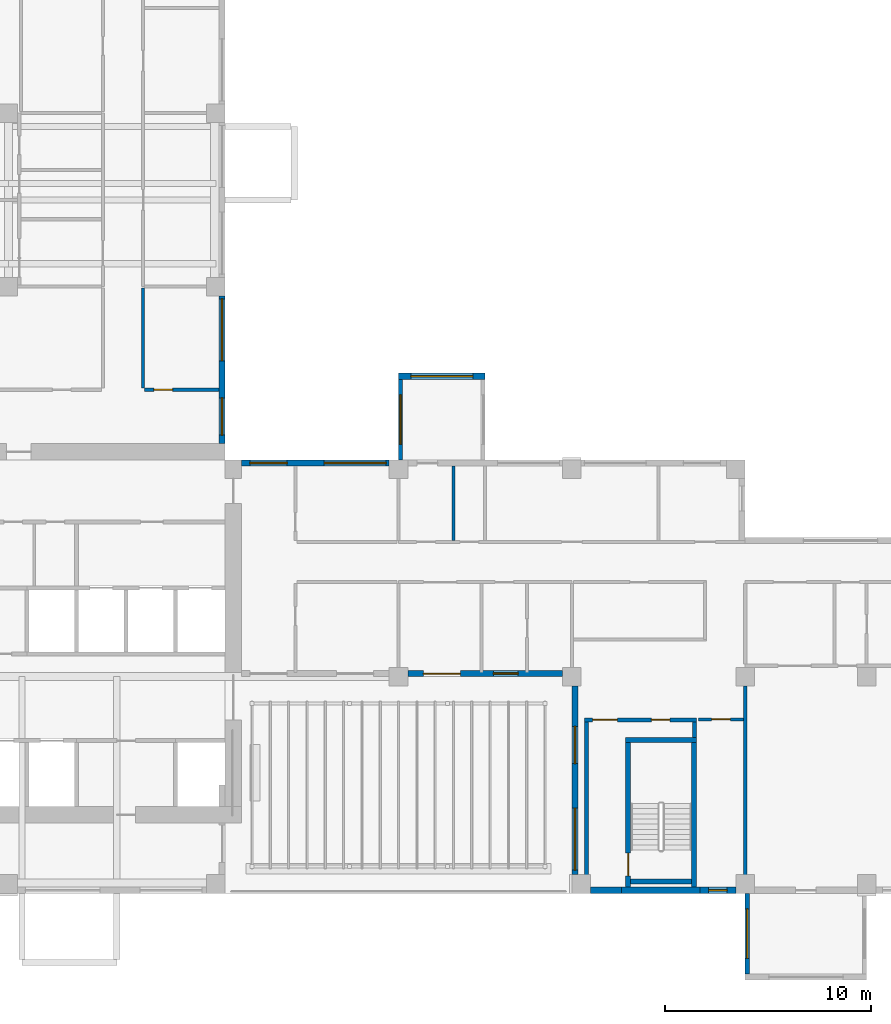
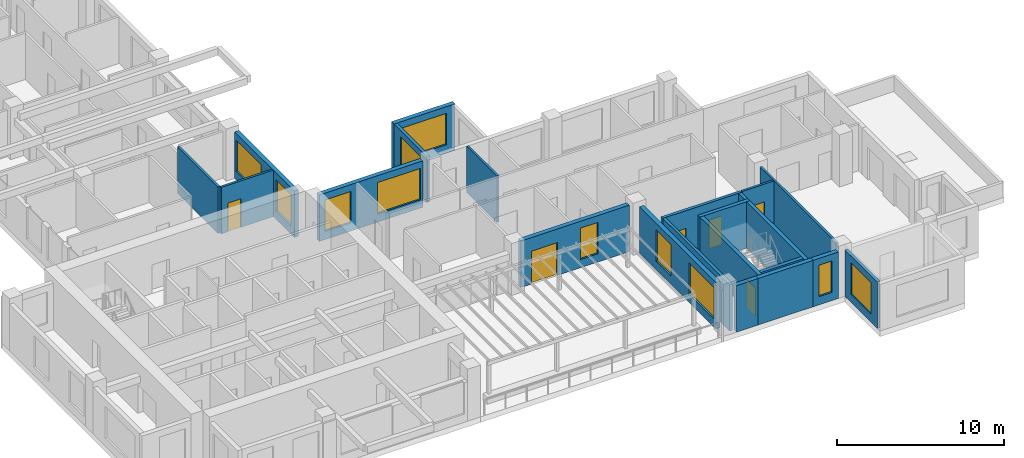
# One storey, part 5 of 13: 22 walls, 11 windows, 6 doors, 17 openings.
"""IFC4 building model written with IfcOpenShell, lengths in metres."""

from ifc_helpers import new_model, si_unit, direction, frame, frame_2d, origin, place, context, subcontext, project, spatial, rectangle, extrude, source, transform, mapped, material, layer, layer_set, type_object, element, fill, save


model = new_model("IFC4")

# Units and contexts
model_context = context("Model", 3, precision=1e-05, world=origin(), true_north=direction((0.0, 1.0)))
body_context = subcontext(model_context, "Body", "Model", "MODEL_VIEW")
ifc_project = project(units=[si_unit("LENGTHUNIT", "METRE"), si_unit("AREAUNIT", "SQUARE_METRE"), si_unit("VOLUMEUNIT", "CUBIC_METRE"), si_unit("PLANEANGLEUNIT", "RADIAN"), si_unit("MASSUNIT", "GRAM", prefix="KILO")], contexts=[model_context])

# Site, building, storey
site_placement = place(None, origin())
site = spatial("IfcSite", under=ifc_project, at=site_placement, CompositionType="ELEMENT")
building_placement = place(site_placement, origin())
building = spatial("IfcBuilding", under=site, at=building_placement, Name="Aurelian Terraces", CompositionType="ELEMENT")
storey_placement = place(building_placement, frame((0.0, 0.0, 204.4)))
storey = spatial("IfcBuildingStorey", under=building, at=storey_placement, Name="L45", CompositionType="ELEMENT", Elevation=204.4)

# Wall
ifc_material_1 = material(Name="Terracotta rainscreen cladding", Category="masonry")
ifc_layer_1 = layer(ifc_material_1, 0.3)
ifc_layer_set_1 = layer_set([ifc_layer_1], Name="EW-300")
wall_type_1 = type_object("IfcWallType", Name="EW-300", PredefinedType="STANDARD", material=ifc_layer_set_1)
wall_1_placement = place(storey_placement, frame((38.7, 0.15, 0.0), z_axis=(0.0, 0.0, 1.0), x_axis=(1.0, 0.0, 0.0)))
element("IfcWall", 1, at=wall_1_placement, inside=storey, type_object=wall_type_1, Name="External wall L45 F05.8", PredefinedType="STANDARD", context=body_context, shape_type="SweptSolid", body=[
    extrude(rectangle(XDim=1.5, YDim=0.3, at=frame_2d((0.75, 0.0))), origin(), (0.0, 0.0, 1.0), 3.4),
])

# Wall, openings, windows
shared_shape_1 = source(origin(), body_context, "Body", "SweptSolid", [
    extrude(rectangle(XDim=7.15, YDim=0.3, at=frame_2d((3.575, 0.0))), origin(), (0.0, 0.0, 1.0), 3.4),
])
wall_2_placement = place(storey_placement, frame((28.95, 20.85, 0.0), z_axis=(0.0, 0.0, 1.0), x_axis=(-1.0, 0.0, 0.0)))
wall_2 = element("IfcWall", 2, at=wall_2_placement, inside=storey, type_object=wall_type_1, Name="External wall L45 F11.19", PredefinedType="STANDARD", context=body_context, shape_type="MappedRepresentation", body=[
    mapped(shared_shape_1, transform((0.0, 0.0, 0.0), scale=1.0)),
])
shared_shape_2 = source(origin(), body_context, "Body", "SweptSolid", [
    extrude(rectangle(XDim=3.0, YDim=2.3, at=frame_2d((1.5, 1.15))), frame((0.0, 0.16, 0.0), z_axis=(0.0, -1.0, 0.0), x_axis=(1.0, 0.0, 0.0)), (0.0, 0.0, 1.0), 0.32),
])
opening_1_placement = place(wall_2_placement, frame((0.15, 0.0, 0.6)))
opening_1 = element("IfcOpeningElement", 3, at=opening_1_placement, cuts=wall_2, Name="Opening W3023", PredefinedType="OPENING", context=body_context, shape_type="MappedRepresentation", body=[
    mapped(shared_shape_2, transform((0.0, 0.0, 0.0), scale=1.0)),
])
shared_shape_3 = source(origin(), body_context, "Body", "SweptSolid", [
    extrude(rectangle(XDim=1.8, YDim=2.3, at=frame_2d((0.9, 1.15))), frame((0.0, 0.16, 0.0), z_axis=(0.0, -1.0, 0.0), x_axis=(1.0, 0.0, 0.0)), (0.0, 0.0, 1.0), 0.32),
])
opening_2_placement = place(wall_2_placement, frame((4.95, 0.0, 0.6)))
opening_2 = element("IfcOpeningElement", 4, at=opening_2_placement, cuts=wall_2, Name="Opening W1823", PredefinedType="OPENING", context=body_context, shape_type="MappedRepresentation", body=[
    mapped(shared_shape_3, transform((0.0, 0.0, 0.0), scale=1.0)),
])
ifc_material_2 = material(Name="Clear glazing", Category="glass")
window_type_1 = type_object("IfcWindowType", Name="W-3000x2300", PartitioningType="SINGLE_PANEL", PredefinedType="WINDOW", material=ifc_material_2)
shared_shape_4 = source(origin(), body_context, "Body", "SweptSolid", [
    extrude(rectangle(XDim=3.0, YDim=2.3, at=frame_2d((1.5, 1.15))), frame((0.0, 0.03, 0.0), z_axis=(0.0, -1.0, 0.0), x_axis=(1.0, 0.0, 0.0)), (0.0, 0.0, 1.0), 0.06),
])
window_1_placement = place(opening_1_placement, origin())
window_1 = element("IfcWindow", 5, at=window_1_placement, inside=storey, type_object=window_type_1, Name="Window L45 L45-F11-19-0", OverallHeight=2.3, OverallWidth=3.0, PartitioningType="SINGLE_PANEL", PredefinedType="WINDOW", context=body_context, shape_type="MappedRepresentation", body=[
    mapped(shared_shape_4, transform((0.0, 0.0, 0.0), scale=1.0)),
])
fill(opening_1, window_1)
window_type_2 = type_object("IfcWindowType", Name="W-1800x2300", PartitioningType="SINGLE_PANEL", PredefinedType="WINDOW", material=ifc_material_2)
shared_shape_5 = source(origin(), body_context, "Body", "SweptSolid", [
    extrude(rectangle(XDim=1.8, YDim=2.3, at=frame_2d((0.9, 1.15))), frame((0.0, 0.03, 0.0), z_axis=(0.0, -1.0, 0.0), x_axis=(1.0, 0.0, 0.0)), (0.0, 0.0, 1.0), 0.06),
])
window_2_placement = place(opening_2_placement, origin())
window_2 = element("IfcWindow", 6, at=window_2_placement, inside=storey, type_object=window_type_2, Name="Window L45 L45-F11-19-1", OverallHeight=2.3, OverallWidth=1.8, PartitioningType="SINGLE_PANEL", PredefinedType="WINDOW", context=body_context, shape_type="MappedRepresentation", body=[
    mapped(shared_shape_5, transform((0.0, 0.0, 0.0), scale=1.0)),
])
fill(opening_2, window_2)

wall_3_placement = place(storey_placement, frame((20.85, 21.8, 0.0), z_axis=(0.0, 0.0, 1.0), x_axis=(0.0, 1.0, 0.0)))
wall_3 = element("IfcWall", 7, at=wall_3_placement, inside=storey, type_object=wall_type_1, Name="External wall L45 F12.20", PredefinedType="STANDARD", context=body_context, shape_type="MappedRepresentation", body=[
    mapped(shared_shape_1, transform((0.0, 0.0, 0.0), scale=1.0)),
])
opening_3_placement = place(wall_3_placement, frame((0.4, 0.0, 0.6)))
opening_3 = element("IfcOpeningElement", 8, at=opening_3_placement, cuts=wall_3, Name="Opening W1823", PredefinedType="OPENING", context=body_context, shape_type="MappedRepresentation", body=[
    mapped(shared_shape_3, transform((0.0, 0.0, 0.0), scale=1.0)),
])
opening_4_placement = place(wall_3_placement, frame((4.0, 0.0, 0.6)))
opening_4 = element("IfcOpeningElement", 9, at=opening_4_placement, cuts=wall_3, Name="Opening W3023", PredefinedType="OPENING", context=body_context, shape_type="MappedRepresentation", body=[
    mapped(shared_shape_2, transform((0.0, 0.0, 0.0), scale=1.0)),
])
window_3_placement = place(opening_4_placement, origin())
window_3 = element("IfcWindow", 10, at=window_3_placement, inside=storey, type_object=window_type_1, Name="Window L45 L45-F12-20-1", OverallHeight=2.3, OverallWidth=3.0, PartitioningType="SINGLE_PANEL", PredefinedType="WINDOW", context=body_context, shape_type="MappedRepresentation", body=[
    mapped(shared_shape_4, transform((0.0, 0.0, 0.0), scale=1.0)),
])
fill(opening_4, window_3)
window_4_placement = place(opening_3_placement, origin())
window_4 = element("IfcWindow", 11, at=window_4_placement, inside=storey, type_object=window_type_2, Name="Window L45 L45-F12-20-0", OverallHeight=2.3, OverallWidth=1.8, PartitioningType="SINGLE_PANEL", PredefinedType="WINDOW", context=body_context, shape_type="MappedRepresentation", body=[
    mapped(shared_shape_5, transform((0.0, 0.0, 0.0), scale=1.0)),
])
fill(opening_3, window_4)

# Wall, openings, door, window
shared_shape_6 = source(origin(), body_context, "Body", "SweptSolid", [
    extrude(rectangle(XDim=7.5, YDim=0.3, at=frame_2d((3.75, 0.0))), origin(), (0.0, 0.0, 1.0), 3.4),
])
wall_4_placement = place(storey_placement, frame((29.85, 10.65, 0.0), z_axis=(0.0, 0.0, 1.0), x_axis=(1.0, 0.0, 0.0)))
wall_4 = element("IfcWall", 12, at=wall_4_placement, inside=storey, type_object=wall_type_1, Name="External wall L45 F03.6", PredefinedType="STANDARD", context=body_context, shape_type="MappedRepresentation", body=[
    mapped(shared_shape_6, transform((0.0, 0.0, 0.0), scale=1.0)),
])
shared_shape_7 = source(origin(), body_context, "Body", "SweptSolid", [
    extrude(rectangle(XDim=1.8, YDim=2.4, at=frame_2d((0.9, 1.2))), frame((0.0, 0.16, 0.0), z_axis=(0.0, -1.0, 0.0), x_axis=(1.0, 0.0, 0.0)), (0.0, 0.0, 1.0), 0.32),
])
opening_5_placement = place(wall_4_placement, frame((0.75, 0.0, 0.0)))
opening_5 = element("IfcOpeningElement", 13, at=opening_5_placement, cuts=wall_4, Name="Opening 84504", PredefinedType="OPENING", context=body_context, shape_type="MappedRepresentation", body=[
    mapped(shared_shape_7, transform((0.0, 0.0, 0.0), scale=1.0)),
])
shared_shape_8 = source(origin(), body_context, "Body", "SweptSolid", [
    extrude(rectangle(XDim=1.2, YDim=2.3, at=frame_2d((0.6, 1.15))), frame((0.0, 0.16, 0.0), z_axis=(0.0, -1.0, 0.0), x_axis=(1.0, 0.0, 0.0)), (0.0, 0.0, 1.0), 0.32),
])
opening_6_placement = place(wall_4_placement, frame((4.1415, 0.0, 0.6)))
opening_6 = element("IfcOpeningElement", 14, at=opening_6_placement, cuts=wall_4, Name="Opening W1223", PredefinedType="OPENING", context=body_context, shape_type="MappedRepresentation", body=[
    mapped(shared_shape_8, transform((0.0, 0.0, 0.0), scale=1.0)),
])
door_type_1 = type_object("IfcDoorType", Name="BD-1800x2400", OperationType="SLIDING_TO_LEFT", PredefinedType="DOOR", material=ifc_material_2)
shared_shape_9 = source(origin(), body_context, "Body", "SweptSolid", [
    extrude(rectangle(XDim=1.8, YDim=2.4, at=frame_2d((0.9, 1.2))), frame((0.0, 0.025, 0.0), z_axis=(0.0, -1.0, 0.0), x_axis=(1.0, 0.0, 0.0)), (0.0, 0.0, 1.0), 0.05),
])
door_1_placement = place(opening_5_placement, origin())
door_1 = element("IfcDoor", 15, at=door_1_placement, inside=storey, type_object=door_type_1, Name="Terrace door L45 L45-F03-06.1", OperationType="SLIDING_TO_LEFT", OverallHeight=2.4, OverallWidth=1.8, PredefinedType="DOOR", context=body_context, shape_type="MappedRepresentation", body=[
    mapped(shared_shape_9, transform((0.0, 0.0, 0.0), scale=1.0)),
])
fill(opening_5, door_1)
window_type_3 = type_object("IfcWindowType", Name="W-1200x2300", PartitioningType="SINGLE_PANEL", PredefinedType="WINDOW", material=ifc_material_2)
shared_shape_10 = source(origin(), body_context, "Body", "SweptSolid", [
    extrude(rectangle(XDim=1.2, YDim=2.3, at=frame_2d((0.6, 1.15))), frame((0.0, 0.03, 0.0), z_axis=(0.0, -1.0, 0.0), x_axis=(1.0, 0.0, 0.0)), (0.0, 0.0, 1.0), 0.06),
])
window_5_placement = place(opening_6_placement, origin())
window_5 = element("IfcWindow", 16, at=window_5_placement, inside=storey, type_object=window_type_3, Name="Window L45 L45-F03-06-G0-31", OverallHeight=2.3, OverallWidth=1.2, PartitioningType="SINGLE_PANEL", PredefinedType="WINDOW", context=body_context, shape_type="MappedRepresentation", body=[
    mapped(shared_shape_10, transform((0.0, 0.0, 0.0), scale=1.0)),
])
fill(opening_6, window_5)

# Wall, opening, window
ifc_material_3 = material(Name="Concrete fc' 40 MPa", Category="concrete")
ifc_layer_2 = layer(ifc_material_3, 0.2)
ifc_layer_set_2 = layer_set([ifc_layer_2], Name="BOX BEARING WALL 200")
wall_type_2 = type_object("IfcWallType", Name="BOX BEARING WALL 200", PredefinedType="SOLIDWALL", material=ifc_layer_set_2)
shared_shape_11 = source(origin(), body_context, "Body", "SweptSolid", [
    extrude(rectangle(XDim=3.9, YDim=0.2, at=frame_2d((1.95, 0.0))), origin(), (0.0, 0.0, 1.0), 3.39),
])
wall_5_placement = place(storey_placement, frame((29.5, 21.0, 0.0), z_axis=(0.0, 0.0, 1.0), x_axis=(0.0, 1.0, 0.0)))
wall_5 = element("IfcWall", 17, at=wall_5_placement, inside=storey, type_object=wall_type_2, Name="Box return L45 J63.2", PredefinedType="SOLIDWALL", context=body_context, shape_type="MappedRepresentation", body=[
    mapped(shared_shape_11, transform((0.0, 0.0, 0.0), scale=1.0)),
])
shared_shape_12 = source(origin(), body_context, "Body", "SweptSolid", [
    extrude(rectangle(XDim=2.4, YDim=2.3, at=frame_2d((1.2, 1.15))), frame((0.0, 0.11, 0.0), z_axis=(0.0, -1.0, 0.0), x_axis=(1.0, 0.0, 0.0)), (0.0, 0.0, 1.0), 0.22),
])
opening_7_placement = place(wall_5_placement, frame((0.75, 0.0, 0.6)))
opening_7 = element("IfcOpeningElement", 18, at=opening_7_placement, cuts=wall_5, Name="Opening W2423", PredefinedType="OPENING", context=body_context, shape_type="MappedRepresentation", body=[
    mapped(shared_shape_12, transform((0.0, 0.0, 0.0), scale=1.0)),
])
window_type_4 = type_object("IfcWindowType", Name="W-2400x2300", PartitioningType="SINGLE_PANEL", PredefinedType="WINDOW", material=ifc_material_2)
shared_shape_13 = source(origin(), body_context, "Body", "SweptSolid", [
    extrude(rectangle(XDim=2.4, YDim=2.3, at=frame_2d((1.2, 1.15))), frame((0.0, 0.03, 0.0), z_axis=(0.0, -1.0, 0.0), x_axis=(1.0, 0.0, 0.0)), (0.0, 0.0, 1.0), 0.06),
])
window_6_placement = place(opening_7_placement, origin())
window_6 = element("IfcWindow", 19, at=window_6_placement, inside=storey, type_object=window_type_4, Name="Window L45 J63-S2", OverallHeight=2.3, OverallWidth=2.4, PartitioningType="SINGLE_PANEL", PredefinedType="WINDOW", context=body_context, shape_type="MappedRepresentation", body=[
    mapped(shared_shape_13, transform((0.0, 0.0, 0.0), scale=1.0)),
])
fill(opening_7, window_6)

shared_shape_14 = source(origin(), body_context, "Body", "SweptSolid", [
    extrude(rectangle(XDim=3.9, YDim=0.2, at=frame_2d((1.95, 0.0))), origin(), (0.0, 0.0, 1.0), 3.4),
])
wall_6_placement = place(storey_placement, frame((46.3, 0.0, 0.0), z_axis=(0.0, 0.0, 1.0), x_axis=(0.0, -1.0, 0.0)))
wall_6 = element("IfcWall", 20, at=wall_6_placement, inside=storey, type_object=wall_type_2, Name="Box return L45 J62.1", PredefinedType="SOLIDWALL", context=body_context, shape_type="MappedRepresentation", body=[
    mapped(shared_shape_14, transform((0.0, 0.0, 0.0), scale=1.0)),
])
opening_8_placement = place(wall_6_placement, frame((0.75, 0.0, 0.6)))
opening_8 = element("IfcOpeningElement", 21, at=opening_8_placement, cuts=wall_6, Name="Opening W2423", PredefinedType="OPENING", context=body_context, shape_type="MappedRepresentation", body=[
    mapped(shared_shape_12, transform((0.0, 0.0, 0.0), scale=1.0)),
])
window_7_placement = place(opening_8_placement, origin())
window_7 = element("IfcWindow", 22, at=window_7_placement, inside=storey, type_object=window_type_4, Name="Window L45 J62-S1", OverallHeight=2.3, OverallWidth=2.4, PartitioningType="SINGLE_PANEL", PredefinedType="WINDOW", context=body_context, shape_type="MappedRepresentation", body=[
    mapped(shared_shape_13, transform((0.0, 0.0, 0.0), scale=1.0)),
])
fill(opening_8, window_7)

ifc_layer_3 = layer(ifc_material_3, 0.3)
ifc_layer_set_3 = layer_set([ifc_layer_3], Name="BOX BEARING WALL 300")
wall_type_3 = type_object("IfcWallType", Name="BOX BEARING WALL 300", PredefinedType="SOLIDWALL", material=ifc_layer_set_3)
shared_shape_15 = source(origin(), body_context, "Body", "SweptSolid", [
    extrude(rectangle(XDim=4.2, YDim=0.3, at=frame_2d((2.1, 0.0))), origin(), (0.0, 0.0, 1.0), 3.39),
])
wall_7_placement = place(storey_placement, frame((33.6, 25.05, 0.0), z_axis=(0.0, 0.0, 1.0), x_axis=(-1.0, 0.0, 0.0)))
wall_7 = element("IfcWall", 23, at=wall_7_placement, inside=storey, type_object=wall_type_3, Name="Box wall L45 J63", PredefinedType="SOLIDWALL", context=body_context, shape_type="MappedRepresentation", body=[
    mapped(shared_shape_15, transform((0.0, 0.0, 0.0), scale=1.0)),
])
opening_9_placement = place(wall_7_placement, frame((0.6, 0.0, 0.6)))
opening_9 = element("IfcOpeningElement", 24, at=opening_9_placement, cuts=wall_7, Name="Opening W3023", PredefinedType="OPENING", context=body_context, shape_type="MappedRepresentation", body=[
    mapped(shared_shape_2, transform((0.0, 0.0, 0.0), scale=1.0)),
])
window_8_placement = place(opening_9_placement, origin())
window_8 = element("IfcWindow", 25, at=window_8_placement, inside=storey, type_object=window_type_1, Name="Window L45 J63-F1", OverallHeight=2.3, OverallWidth=3.0, PartitioningType="SINGLE_PANEL", PredefinedType="WINDOW", context=body_context, shape_type="MappedRepresentation", body=[
    mapped(shared_shape_4, transform((0.0, 0.0, 0.0), scale=1.0)),
])
fill(opening_9, window_8)

# Wall
ifc_layer_4 = layer(ifc_material_3, 0.3)
ifc_layer_set_4 = layer_set([ifc_layer_4], Name="STAIR BAY WALL 300")
wall_type_4 = type_object("IfcWallType", Name="STAIR BAY WALL 300", PredefinedType="SOLIDWALL", material=ifc_layer_set_4)
shared_shape_16 = source(origin(), body_context, "Body", "SweptSolid", [
    extrude(rectangle(XDim=3.8, YDim=0.3, at=frame_2d((1.9, 0.0))), origin(), (0.0, 0.0, 1.0), 3.4),
])
wall_8_placement = place(storey_placement, frame((40.2, 0.15, 0.0), z_axis=(0.0, 0.0, 1.0), x_axis=(1.0, 0.0, 0.0)))
element("IfcWall", 26, at=wall_8_placement, inside=storey, type_object=wall_type_4, Name="Stair bay wall L45 F05.8", PredefinedType="SOLIDWALL", context=body_context, shape_type="MappedRepresentation", body=[
    mapped(shared_shape_16, transform((0.0, 0.0, 0.0), scale=1.0)),
])

# Wall, opening, window
shared_shape_17 = source(origin(), body_context, "Body", "SweptSolid", [
    extrude(rectangle(XDim=1.75, YDim=0.3, at=frame_2d((0.875, 0.0))), origin(), (0.0, 0.0, 1.0), 3.4),
])
wall_9_placement = place(storey_placement, frame((44.0, 0.15, 0.0), z_axis=(0.0, 0.0, 1.0), x_axis=(1.0, 0.0, 0.0)))
wall_9 = element("IfcWall", 27, at=wall_9_placement, inside=storey, type_object=wall_type_1, Name="External wall L45 F05.8", PredefinedType="STANDARD", context=body_context, shape_type="MappedRepresentation", body=[
    mapped(shared_shape_17, transform((0.0, 0.0, 0.0), scale=1.0)),
])
shared_shape_18 = source(origin(), body_context, "Body", "SweptSolid", [
    extrude(rectangle(XDim=0.9, YDim=2.3, at=frame_2d((0.45, 1.15))), frame((0.0, 0.16, 0.0), z_axis=(0.0, -1.0, 0.0), x_axis=(1.0, 0.0, 0.0)), (0.0, 0.0, 1.0), 0.32),
])
opening_10_placement = place(wall_9_placement, frame((0.425, 0.0, 0.6)))
opening_10 = element("IfcOpeningElement", 28, at=opening_10_placement, cuts=wall_9, Name="Opening W0923", PredefinedType="OPENING", context=body_context, shape_type="MappedRepresentation", body=[
    mapped(shared_shape_18, transform((0.0, 0.0, 0.0), scale=1.0)),
])
window_type_5 = type_object("IfcWindowType", Name="W-900x2300", PartitioningType="SINGLE_PANEL", PredefinedType="WINDOW", material=ifc_material_2)
shared_shape_19 = source(origin(), body_context, "Body", "SweptSolid", [
    extrude(rectangle(XDim=0.9, YDim=2.3, at=frame_2d((0.45, 1.15))), frame((0.0, 0.03, 0.0), z_axis=(0.0, -1.0, 0.0), x_axis=(1.0, 0.0, 0.0)), (0.0, 0.0, 1.0), 0.06),
])
window_9_placement = place(opening_10_placement, origin())
window_9 = element("IfcWindow", 29, at=window_9_placement, inside=storey, type_object=window_type_5, Name="Window L45 L45-F05-08-P2", OverallHeight=2.3, OverallWidth=0.9, PartitioningType="SINGLE_PANEL", PredefinedType="WINDOW", context=body_context, shape_type="MappedRepresentation", body=[
    mapped(shared_shape_19, transform((0.0, 0.0, 0.0), scale=1.0)),
])
fill(opening_10, window_9)

# Wall, openings, windows
shared_shape_20 = source(origin(), body_context, "Body", "SweptSolid", [
    extrude(rectangle(XDim=9.15, YDim=0.3, at=frame_2d((4.575, 0.0))), origin(), (0.0, 0.0, 1.0), 3.4),
])
wall_10_placement = place(storey_placement, frame((37.95, 10.05, 0.0), z_axis=(0.0, 0.0, 1.0), x_axis=(0.0, -1.0, 0.0)))
wall_10 = element("IfcWall", 30, at=wall_10_placement, inside=storey, type_object=wall_type_1, Name="External wall L45 F04.7", PredefinedType="STANDARD", context=body_context, shape_type="MappedRepresentation", body=[
    mapped(shared_shape_20, transform((0.0, 0.0, 0.0), scale=1.0)),
])
opening_11_placement = place(wall_10_placement, frame((1.9625, 0.0, 0.6)))
opening_11 = element("IfcOpeningElement", 31, at=opening_11_placement, cuts=wall_10, Name="Opening W1823", PredefinedType="OPENING", context=body_context, shape_type="MappedRepresentation", body=[
    mapped(shared_shape_3, transform((0.0, 0.0, 0.0), scale=1.0)),
])
opening_12_placement = place(wall_10_placement, frame((5.925, 0.0, 0.6)))
opening_12 = element("IfcOpeningElement", 32, at=opening_12_placement, cuts=wall_10, Name="Opening W3023", PredefinedType="OPENING", context=body_context, shape_type="MappedRepresentation", body=[
    mapped(shared_shape_2, transform((0.0, 0.0, 0.0), scale=1.0)),
])
window_10_placement = place(opening_12_placement, origin())
window_10 = element("IfcWindow", 33, at=window_10_placement, inside=storey, type_object=window_type_1, Name="Window L45 L45-F04-07-1", OverallHeight=2.3, OverallWidth=3.0, PartitioningType="SINGLE_PANEL", PredefinedType="WINDOW", context=body_context, shape_type="MappedRepresentation", body=[
    mapped(shared_shape_4, transform((0.0, 0.0, 0.0), scale=1.0)),
])
fill(opening_12, window_10)
window_11_placement = place(opening_11_placement, origin())
window_11 = element("IfcWindow", 34, at=window_11_placement, inside=storey, type_object=window_type_2, Name="Window L45 L45-F04-07-0", OverallHeight=2.3, OverallWidth=1.8, PartitioningType="SINGLE_PANEL", PredefinedType="WINDOW", context=body_context, shape_type="MappedRepresentation", body=[
    mapped(shared_shape_5, transform((0.0, 0.0, 0.0), scale=1.0)),
])
fill(opening_11, window_11)

# Wall, opening, door
ifc_layer_5 = layer(ifc_material_3, 0.25)
ifc_layer_set_5 = layer_set([ifc_layer_5], Name="Stair enclosure wall 250")
wall_type_5 = type_object("IfcWallType", Name="Stair enclosure wall 250", PredefinedType="SOLIDWALL", material=ifc_layer_set_5)
shared_shape_21 = source(origin(), body_context, "Body", "SweptSolid", [
    extrude(rectangle(XDim=7.0, YDim=0.25, at=frame_2d((3.5, 0.0))), origin(), (0.0, 0.0, 1.0), 3.4),
])
wall_11_placement = place(storey_placement, frame((40.525, 0.3, 0.0), z_axis=(0.0, 0.0, 1.0), x_axis=(0.0, 1.0, 0.0)))
wall_11 = element("IfcWall", 35, at=wall_11_placement, inside=storey, type_object=wall_type_5, Name="L45 core wall ST-S2-W", PredefinedType="SOLIDWALL", context=body_context, shape_type="MappedRepresentation", body=[
    mapped(shared_shape_21, transform((0.0, 0.0, 0.0), scale=1.0)),
])
shared_shape_22 = source(origin(), body_context, "Body", "SweptSolid", [
    extrude(rectangle(XDim=1.1, YDim=2.1, at=frame_2d((0.55, 1.05))), frame((0.0, 0.135, 0.0), z_axis=(0.0, -1.0, 0.0), x_axis=(1.0, 0.0, 0.0)), (0.0, 0.0, 1.0), 0.27),
])
opening_13_placement = place(wall_11_placement, frame((0.55, 0.0, 0.0)))
opening_13 = element("IfcOpeningElement", 36, at=opening_13_placement, cuts=wall_11, Name="Opening 64815", PredefinedType="OPENING", context=body_context, shape_type="MappedRepresentation", body=[
    mapped(shared_shape_22, transform((0.0, 0.0, 0.0), scale=1.0)),
])
ifc_material_4 = material(Name="Steel door leaf", Category="steel")
door_type_2 = type_object("IfcDoorType", Name="Core fire door 1100x2100 right", OperationType="SINGLE_SWING_RIGHT", PredefinedType="DOOR", material=ifc_material_4)
shared_shape_23 = source(origin(), body_context, "Body", "SweptSolid", [
    extrude(rectangle(XDim=1.1, YDim=2.1, at=frame_2d((0.55, 1.05))), frame((0.0, 0.025, 0.0), z_axis=(0.0, -1.0, 0.0), x_axis=(1.0, 0.0, 0.0)), (0.0, 0.0, 1.0), 0.05),
])
door_2_placement = place(opening_13_placement, origin())
door_2 = element("IfcDoor", 37, at=door_2_placement, inside=storey, type_object=door_type_2, Name="Stair door 64815", OperationType="SINGLE_SWING_RIGHT", OverallHeight=2.1, OverallWidth=1.1, PredefinedType="DOOR", context=body_context, shape_type="MappedRepresentation", body=[
    mapped(shared_shape_23, transform((0.0, 0.0, 0.0), scale=1.0)),
])
fill(opening_13, door_2)

# Walls
wall_12_placement = place(storey_placement, frame((43.725, 0.3, 0.0), z_axis=(0.0, 0.0, 1.0), x_axis=(0.0, 1.0, 0.0)))
element("IfcWall", 38, at=wall_12_placement, inside=storey, type_object=wall_type_5, Name="L45 core wall ST-S2-E", PredefinedType="SOLIDWALL", context=body_context, shape_type="MappedRepresentation", body=[
    mapped(shared_shape_21, transform((0.0, 0.0, 0.0), scale=1.0)),
])
shared_shape_24 = source(origin(), body_context, "Body", "SweptSolid", [
    extrude(rectangle(XDim=3.45, YDim=0.25, at=frame_2d((1.725, 0.0))), origin(), (0.0, 0.0, 1.0), 3.4),
])
wall_13_placement = place(storey_placement, frame((40.4, 7.425, 0.0), z_axis=(0.0, 0.0, 1.0), x_axis=(1.0, 0.0, 0.0)))
element("IfcWall", 39, at=wall_13_placement, inside=storey, type_object=wall_type_5, Name="L45 core wall ST-S2-N", PredefinedType="SOLIDWALL", context=body_context, shape_type="MappedRepresentation", body=[
    mapped(shared_shape_24, transform((0.0, 0.0, 0.0), scale=1.0)),
])
shared_shape_25 = source(origin(), body_context, "Body", "SweptSolid", [
    extrude(rectangle(XDim=2.95, YDim=0.25, at=frame_2d((1.475, 0.0))), origin(), (0.0, 0.0, 1.0), 3.4),
])
wall_14_placement = place(storey_placement, frame((40.65, 0.575, 0.0), z_axis=(0.0, 0.0, 1.0), x_axis=(1.0, 0.0, 0.0)))
element("IfcWall", 40, at=wall_14_placement, inside=storey, type_object=wall_type_5, Name="L45 core wall ST-S2-SS", PredefinedType="SOLIDWALL", context=body_context, shape_type="MappedRepresentation", body=[
    mapped(shared_shape_25, transform((0.0, 0.0, 0.0), scale=1.0)),
])

# Wall, openings, doors
ifc_material_5 = material(Name="Gypsum board on steel studs", Category="steel")
ifc_layer_6 = layer(ifc_material_5, 0.2)
ifc_layer_set_6 = layer_set([ifc_layer_6], Name="Core partition 200")
wall_type_6 = type_object("IfcWallType", Name="Core partition 200", PredefinedType="PARTITIONING", material=ifc_layer_set_6)
shared_shape_26 = source(origin(), body_context, "Body", "SweptSolid", [
    extrude(rectangle(XDim=5.45, YDim=0.2, at=frame_2d((2.725, 0.0))), origin(), (0.0, 0.0, 1.0), 3.4),
])
wall_15_placement = place(storey_placement, frame((38.4, 8.4, 0.0), z_axis=(0.0, 0.0, 1.0), x_axis=(1.0, 0.0, 0.0)))
wall_15 = element("IfcWall", 41, at=wall_15_placement, inside=storey, type_object=wall_type_6, Name="L45 core wall ST-S2-BN", PredefinedType="PARTITIONING", context=body_context, shape_type="MappedRepresentation", body=[
    mapped(shared_shape_26, transform((0.0, 0.0, 0.0), scale=1.0)),
])
shared_shape_27 = source(origin(), body_context, "Body", "SweptSolid", [
    extrude(rectangle(XDim=1.2, YDim=2.1, at=frame_2d((0.6, 1.05))), frame((0.0, 0.11, 0.0), z_axis=(0.0, -1.0, 0.0), x_axis=(1.0, 0.0, 0.0)), (0.0, 0.0, 1.0), 0.22),
])
opening_14_placement = place(wall_15_placement, frame((0.4, 0.0, 0.0)))
opening_14 = element("IfcOpeningElement", 42, at=opening_14_placement, cuts=wall_15, Name="Opening 64816", PredefinedType="OPENING", context=body_context, shape_type="MappedRepresentation", body=[
    mapped(shared_shape_27, transform((0.0, 0.0, 0.0), scale=1.0)),
])
shared_shape_28 = source(origin(), body_context, "Body", "SweptSolid", [
    extrude(rectangle(XDim=0.9, YDim=2.1, at=frame_2d((0.45, 1.05))), frame((0.0, 0.11, 0.0), z_axis=(0.0, -1.0, 0.0), x_axis=(1.0, 0.0, 0.0)), (0.0, 0.0, 1.0), 0.22),
])
opening_15_placement = place(wall_15_placement, frame((3.25, 0.0, 0.0)))
opening_15 = element("IfcOpeningElement", 43, at=opening_15_placement, cuts=wall_15, Name="Opening 64817", PredefinedType="OPENING", context=body_context, shape_type="MappedRepresentation", body=[
    mapped(shared_shape_28, transform((0.0, 0.0, 0.0), scale=1.0)),
])
door_type_3 = type_object("IfcDoorType", Name="Core riser door 900x2100 right", OperationType="SINGLE_SWING_RIGHT", PredefinedType="DOOR", material=ifc_material_4)
shared_shape_29 = source(origin(), body_context, "Body", "SweptSolid", [
    extrude(rectangle(XDim=0.9, YDim=2.1, at=frame_2d((0.45, 1.05))), frame((0.0, 0.025, 0.0), z_axis=(0.0, -1.0, 0.0), x_axis=(1.0, 0.0, 0.0)), (0.0, 0.0, 1.0), 0.05),
])
door_3_placement = place(opening_15_placement, origin())
door_3 = element("IfcDoor", 44, at=door_3_placement, inside=storey, type_object=door_type_3, Name="Riser door 64817", OperationType="SINGLE_SWING_RIGHT", OverallHeight=2.1, OverallWidth=0.9, PredefinedType="DOOR", context=body_context, shape_type="MappedRepresentation", body=[
    mapped(shared_shape_29, transform((0.0, 0.0, 0.0), scale=1.0)),
])
fill(opening_15, door_3)
door_type_4 = type_object("IfcDoorType", Name="Core fire door 1200x2100", OperationType="SINGLE_SWING_LEFT", PredefinedType="DOOR", material=ifc_material_4)
shared_shape_30 = source(origin(), body_context, "Body", "SweptSolid", [
    extrude(rectangle(XDim=1.2, YDim=2.1, at=frame_2d((0.6, 1.05))), frame((0.0, 0.025, 0.0), z_axis=(0.0, -1.0, 0.0), x_axis=(1.0, 0.0, 0.0)), (0.0, 0.0, 1.0), 0.05),
])
door_4_placement = place(opening_14_placement, origin())
door_4 = element("IfcDoor", 45, at=door_4_placement, inside=storey, type_object=door_type_4, Name="Vestibule door 64816", OperationType="SINGLE_SWING_LEFT", OverallHeight=2.1, OverallWidth=1.2, PredefinedType="DOOR", context=body_context, shape_type="MappedRepresentation", body=[
    mapped(shared_shape_30, transform((0.0, 0.0, 0.0), scale=1.0)),
])
fill(opening_14, door_4)

# Walls
shared_shape_31 = source(origin(), body_context, "Body", "SweptSolid", [
    extrude(rectangle(XDim=0.75, YDim=0.2, at=frame_2d((0.375, 0.0))), origin(), (0.0, 0.0, 1.0), 3.4),
])
wall_16_placement = place(storey_placement, frame((43.75, 7.55, 0.0), z_axis=(0.0, 0.0, 1.0), x_axis=(0.0, 1.0, 0.0)))
element("IfcWall", 46, at=wall_16_placement, inside=storey, type_object=wall_type_6, Name="L45 core wall ST-S2-RE", PredefinedType="PARTITIONING", context=body_context, shape_type="MappedRepresentation", body=[
    mapped(shared_shape_31, transform((0.0, 0.0, 0.0), scale=1.0)),
])
shared_shape_32 = source(origin(), body_context, "Body", "SweptSolid", [
    extrude(rectangle(XDim=8.0, YDim=0.2, at=frame_2d((4.0, 0.0))), origin(), (0.0, 0.0, 1.0), 3.4),
])
wall_17_placement = place(storey_placement, frame((38.5, 0.3, 0.0), z_axis=(0.0, 0.0, 1.0), x_axis=(0.0, 1.0, 0.0)))
element("IfcWall", 47, at=wall_17_placement, inside=storey, type_object=wall_type_6, Name="L45 core wall ST-S2-VW", PredefinedType="PARTITIONING", context=body_context, shape_type="MappedRepresentation", body=[
    mapped(shared_shape_32, transform((0.0, 0.0, 0.0), scale=1.0)),
])
ifc_layer_7 = layer(ifc_material_5, 0.15)
ifc_layer_set_7 = layer_set([ifc_layer_7], Name="Fire partition 150")
wall_type_7 = type_object("IfcWallType", Name="Fire partition 150", PredefinedType="PARTITIONING", material=ifc_layer_set_7)
shared_shape_33 = source(origin(), body_context, "Body", "SweptSolid", [
    extrude(rectangle(XDim=9.152, YDim=0.15, at=frame_2d((4.576, 0.0))), origin(), (0.0, 0.0, 1.0), 3.4),
])
wall_18_placement = place(storey_placement, frame((46.2, 0.899, 0.0), z_axis=(0.0, 0.0, 1.0), x_axis=(0.0, 1.0, 0.0)))
element("IfcWall", 48, at=wall_18_placement, inside=storey, type_object=wall_type_7, Name="Party wall", PredefinedType="PARTITIONING", context=body_context, shape_type="MappedRepresentation", body=[
    mapped(shared_shape_33, transform((0.0, 0.0, 0.0), scale=1.0)),
])
ifc_layer_8 = layer(ifc_material_5, 0.15)
ifc_layer_set_8 = layer_set([ifc_layer_8], Name="Partition 150")
wall_type_8 = type_object("IfcWallType", Name="Partition 150", PredefinedType="PARTITIONING", material=ifc_layer_set_8)
shared_shape_34 = source(origin(), body_context, "Body", "SweptSolid", [
    extrude(rectangle(XDim=3.6, YDim=0.15, at=frame_2d((1.8, 0.0))), origin(), (0.0, 0.0, 1.0), 3.4),
])
wall_19_placement = place(storey_placement, frame((32.067, 20.7, 0.0), z_axis=(0.0, 0.0, 1.0), x_axis=(0.0, -1.0, 0.0)))
element("IfcWall", 49, at=wall_19_placement, inside=storey, type_object=wall_type_8, Name="Partition", PredefinedType="PARTITIONING", context=body_context, shape_type="MappedRepresentation", body=[
    mapped(shared_shape_34, transform((0.0, 0.0, 0.0), scale=1.0)),
])

# Wall, opening, door
wall_20_placement = place(storey_placement, frame((17.1, 24.4, 0.0), z_axis=(0.0, 0.0, 1.0), x_axis=(1.0, 0.0, 0.0)))
wall_20 = element("IfcWall", 50, at=wall_20_placement, inside=storey, type_object=wall_type_8, Name="Partition", PredefinedType="PARTITIONING", context=body_context, shape_type="MappedRepresentation", body=[
    mapped(shared_shape_34, transform((0.0, 0.0, 0.0), scale=1.0)),
])
shared_shape_35 = source(origin(), body_context, "Body", "SweptSolid", [
    extrude(rectangle(XDim=0.9, YDim=2.1, at=frame_2d((0.45, 1.05))), frame((0.0, 0.085, 0.0), z_axis=(0.0, -1.0, 0.0), x_axis=(1.0, 0.0, 0.0)), (0.0, 0.0, 1.0), 0.17),
])
opening_16_placement = place(wall_20_placement, frame((0.45, 0.0, 0.0)))
opening_16 = element("IfcOpeningElement", 51, at=opening_16_placement, cuts=wall_20, Name="Opening 745017", PredefinedType="OPENING", context=body_context, shape_type="MappedRepresentation", body=[
    mapped(shared_shape_35, transform((0.0, 0.0, 0.0), scale=1.0)),
])
ifc_material_6 = material(Name="Timber door leaf", Category="wood")
door_type_5 = type_object("IfcDoorType", Name="Room door 900x2100 left", OperationType="SINGLE_SWING_LEFT", PredefinedType="DOOR", material=ifc_material_6)
door_5_placement = place(opening_16_placement, origin())
door_5 = element("IfcDoor", 52, at=door_5_placement, inside=storey, type_object=door_type_5, Name="Door 745017", OperationType="SINGLE_SWING_LEFT", OverallHeight=2.1, OverallWidth=0.9, PredefinedType="DOOR", context=body_context, shape_type="MappedRepresentation", body=[
    mapped(shared_shape_29, transform((0.0, 0.0, 0.0), scale=1.0)),
])
fill(opening_16, door_5)

shared_shape_36 = source(origin(), body_context, "Body", "SweptSolid", [
    extrude(rectangle(XDim=2.2, YDim=0.15, at=frame_2d((1.1, 0.0))), origin(), (0.0, 0.0, 1.0), 3.4),
])
wall_21_placement = place(storey_placement, frame((46.125, 8.425, 0.0), z_axis=(0.0, 0.0, 1.0), x_axis=(-1.0, 0.0, 0.0)))
wall_21 = element("IfcWall", 53, at=wall_21_placement, inside=storey, type_object=wall_type_8, Name="Partition", PredefinedType="PARTITIONING", context=body_context, shape_type="MappedRepresentation", body=[
    mapped(shared_shape_36, transform((0.0, 0.0, 0.0), scale=1.0)),
])
opening_17_placement = place(wall_21_placement, frame((0.65, 0.0, 0.0)))
opening_17 = element("IfcOpeningElement", 54, at=opening_17_placement, cuts=wall_21, Name="Opening 745004", PredefinedType="OPENING", context=body_context, shape_type="MappedRepresentation", body=[
    mapped(shared_shape_35, transform((0.0, 0.0, 0.0), scale=1.0)),
])
door_type_6 = type_object("IfcDoorType", Name="Room door 900x2100 right", OperationType="SINGLE_SWING_RIGHT", PredefinedType="DOOR", material=ifc_material_6)
door_6_placement = place(opening_17_placement, origin())
door_6 = element("IfcDoor", 55, at=door_6_placement, inside=storey, type_object=door_type_6, Name="Door 745004", OperationType="SINGLE_SWING_RIGHT", OverallHeight=2.1, OverallWidth=0.9, PredefinedType="DOOR", context=body_context, shape_type="MappedRepresentation", body=[
    mapped(shared_shape_29, transform((0.0, 0.0, 0.0), scale=1.0)),
])
fill(opening_17, door_6)

# Wall
shared_shape_37 = source(origin(), body_context, "Body", "SweptSolid", [
    extrude(rectangle(XDim=4.85, YDim=0.15, at=frame_2d((2.425, 0.0))), origin(), (0.0, 0.0, 1.0), 3.4),
])
wall_22_placement = place(storey_placement, frame((17.025, 29.325, 0.0), z_axis=(0.0, 0.0, 1.0), x_axis=(0.0, -1.0, 0.0)))
element("IfcWall", 56, at=wall_22_placement, inside=storey, type_object=wall_type_7, Name="Corridor wall", PredefinedType="PARTITIONING", context=body_context, shape_type="MappedRepresentation", body=[
    mapped(shared_shape_37, transform((0.0, 0.0, 0.0), scale=1.0)),
])

save(model, "model.ifc")
